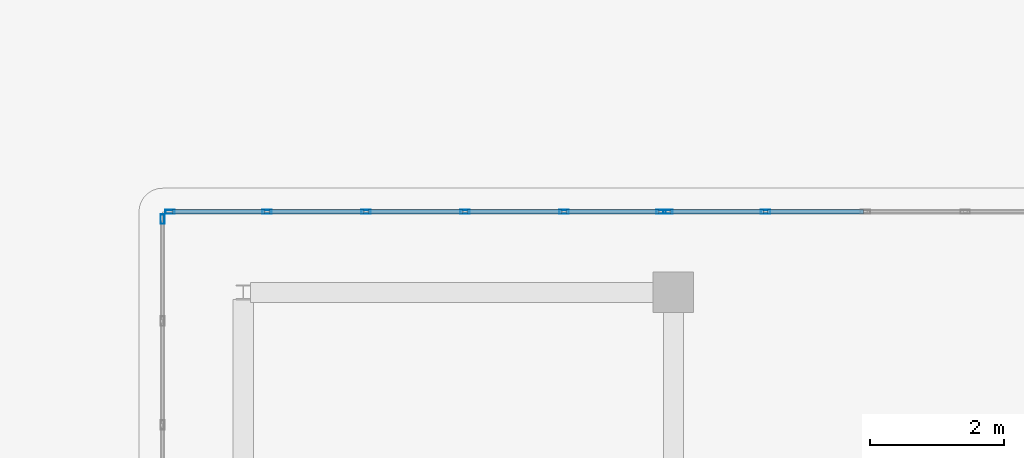
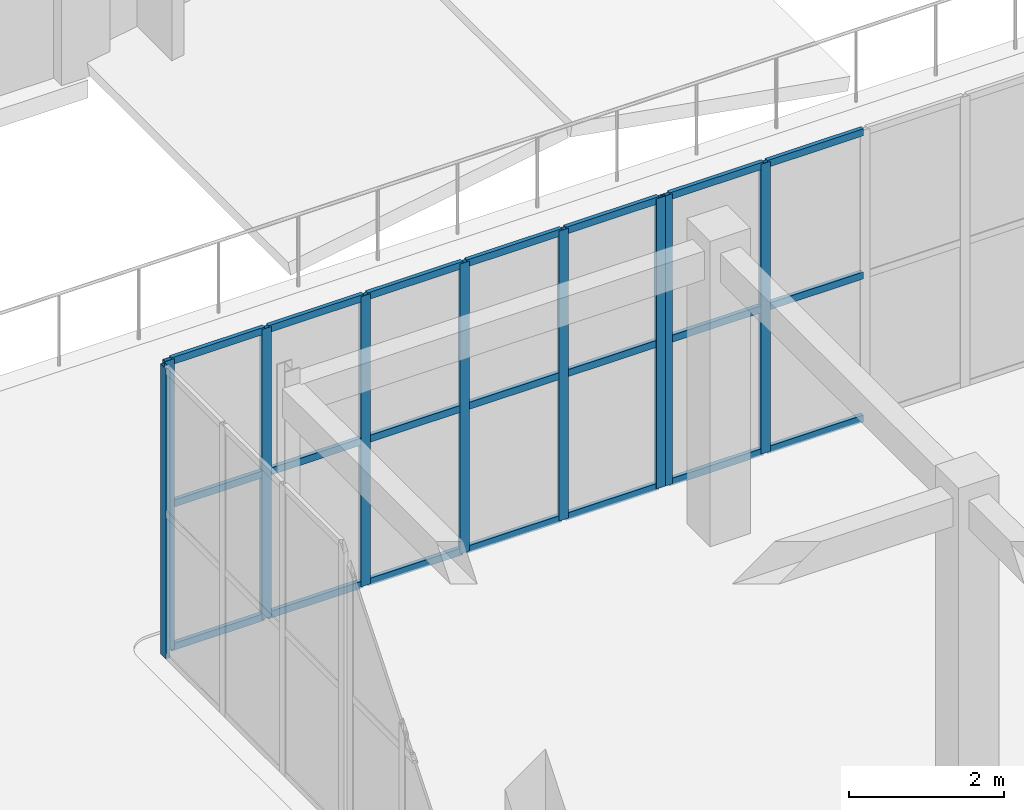
# One storey, part 60 of 158: 30 members, 3 elements without a shape of their own.
"""IFC4 building model written with IfcOpenShell, lengths in metres."""

from ifc_helpers import new_model, si_unit, direction, frame, origin, origin_2d, place, context, subcontext, project, spatial, hollow_rectangle, extrude, material, layer, layer_set, material_profile, profile_set, type_object, element, aggregate, save


model = new_model("IFC4")

# Units and contexts
model_context = context("Model", 3, precision=1e-05, world=origin(), true_north=direction((0.0, 1.0)))
body_context = subcontext(model_context, "Body", "Model", "MODEL_VIEW")
ifc_project = project(units=[si_unit("LENGTHUNIT", "METRE"), si_unit("AREAUNIT", "SQUARE_METRE"), si_unit("VOLUMEUNIT", "CUBIC_METRE"), si_unit("PLANEANGLEUNIT", "RADIAN"), si_unit("MASSUNIT", "GRAM", prefix="KILO")], contexts=[model_context])

# Site, building, storey
site_placement = place(None, origin())
site = spatial("IfcSite", under=ifc_project, at=site_placement, CompositionType="ELEMENT")
building_placement = place(site_placement, origin())
building = spatial("IfcBuilding", under=site, at=building_placement, Name="Trelvath General Hospital", CompositionType="ELEMENT")
storey_placement = place(building_placement, frame((0.0, 0.0, 8.10009765625)))
storey = spatial("IfcBuildingStorey", under=building, at=storey_placement, Name="L02", CompositionType="ELEMENT", Elevation=8.10009765625)

# Curtain wall, members
ifc_material_1 = material(Name="Anodised aluminium and low-E glass", Category="aluminium")
ifc_layer_1 = layer(ifc_material_1, 0.139892578125)
ifc_layer_set_1 = layer_set([ifc_layer_1], Name="Anodised aluminium and low-E glass")
curtain_wall_type_1 = type_object("IfcCurtainWallType", Name="CW CrystalCube 737 456 14", PredefinedType="USERDEFINED", material=ifc_layer_set_1)
curtain_wall_1_placement = place(storey_placement, origin())
curtain_wall_1 = element("IfcCurtainWall", 1, at=curtain_wall_1_placement, inside=storey, type_object=curtain_wall_type_1, Name="Crystal Cube Curtain Wall CUBE-W-T1 N1 L02", ObjectType="Unitised Glazed Curtain Wall", PredefinedType="USERDEFINED")
ifc_material_2 = material(Name="Anodised aluminium", Category="aluminium")
ifc_material_profile_1 = material_profile(ifc_material_2, hollow_rectangle(XDim=0.06005859375, YDim=0.139892578125, WallThickness=0.00390625, at=origin_2d()), Name="RHS60x140x4")
ifc_profile_set_1 = profile_set([ifc_material_profile_1], Name="Anodised aluminium")
member_type_1 = type_object("IfcMemberType", Name="CurtainMullion 60x140", PredefinedType="MULLION", material=ifc_profile_set_1)
member_1_placement = place(storey_placement, frame((53.31005859375, 80.39990234375, 0.0), z_axis=(0.0, 0.0, 1.0), x_axis=(0.0, 1.0, 0.0)))
member_1 = element("IfcMember", 2, at=member_1_placement, type_object=member_type_1, Name="CW-193 mullion 1", PredefinedType="MULLION", context=body_context, shape_type="SweptSolid", body=[
    extrude(hollow_rectangle(XDim=0.06005859375, YDim=0.139892578125, WallThickness=0.00390625, at=origin_2d()), origin(), (0.0, 0.0, 1.0), 4.559814453125),
])
member_2_placement = place(storey_placement, frame((54.75341796875, 80.39990234375, 0.0), z_axis=(0.0, 0.0, 1.0), x_axis=(0.0, 1.0, 0.0)))
member_2 = element("IfcMember", 3, at=member_2_placement, type_object=member_type_1, Name="CW-193 mullion 2", PredefinedType="MULLION", context=body_context, shape_type="SweptSolid", body=[
    extrude(hollow_rectangle(XDim=0.06005859375, YDim=0.139892578125, WallThickness=0.00390625, at=origin_2d()), origin(), (0.0, 0.0, 1.0), 4.559814453125),
])
member_3_placement = place(storey_placement, frame((56.2265625, 80.39990234375, 0.0), z_axis=(0.0, 0.0, 1.0), x_axis=(0.0, 1.0, 0.0)))
member_3 = element("IfcMember", 4, at=member_3_placement, type_object=member_type_1, Name="CW-193 mullion 3", PredefinedType="MULLION", context=body_context, shape_type="SweptSolid", body=[
    extrude(hollow_rectangle(XDim=0.06005859375, YDim=0.139892578125, WallThickness=0.00390625, at=origin_2d()), origin(), (0.0, 0.0, 1.0), 4.559814453125),
])
member_4_placement = place(storey_placement, frame((57.699951171875, 80.39990234375, 0.0), z_axis=(0.0, 0.0, 1.0), x_axis=(0.0, 1.0, 0.0)))
member_4 = element("IfcMember", 5, at=member_4_placement, type_object=member_type_1, Name="CW-193 mullion 4", PredefinedType="MULLION", context=body_context, shape_type="SweptSolid", body=[
    extrude(hollow_rectangle(XDim=0.06005859375, YDim=0.139892578125, WallThickness=0.00390625, at=origin_2d()), origin(), (0.0, 0.0, 1.0), 4.559814453125),
])
member_5_placement = place(storey_placement, frame((59.17333984375, 80.39990234375, 0.0), z_axis=(0.0, 0.0, 1.0), x_axis=(0.0, 1.0, 0.0)))
member_5 = element("IfcMember", 6, at=member_5_placement, type_object=member_type_1, Name="CW-193 mullion 5", PredefinedType="MULLION", context=body_context, shape_type="SweptSolid", body=[
    extrude(hollow_rectangle(XDim=0.06005859375, YDim=0.139892578125, WallThickness=0.00390625, at=origin_2d()), origin(), (0.0, 0.0, 1.0), 4.559814453125),
])
member_6_placement = place(storey_placement, frame((60.61669921875, 80.39990234375, 0.0), z_axis=(0.0, 0.0, 1.0), x_axis=(0.0, 1.0, 0.0)))
member_6 = element("IfcMember", 7, at=member_6_placement, type_object=member_type_1, Name="CW-193 mullion 6", PredefinedType="MULLION", context=body_context, shape_type="SweptSolid", body=[
    extrude(hollow_rectangle(XDim=0.06005859375, YDim=0.139892578125, WallThickness=0.00390625, at=origin_2d()), origin(), (0.0, 0.0, 1.0), 4.559814453125),
])

ifc_material_3 = material(Name="Anodised aluminium and low-E glass", Category="aluminium")
ifc_layer_2 = layer(ifc_material_3, 0.139892578125)
ifc_layer_set_2 = layer_set([ifc_layer_2], Name="Anodised aluminium and low-E glass")
curtain_wall_type_2 = type_object("IfcCurtainWallType", Name="CW CrystalCube 743 456 14", PredefinedType="USERDEFINED", material=ifc_layer_set_2)
curtain_wall_2_placement = place(storey_placement, origin())
curtain_wall_2 = element("IfcCurtainWall", 8, at=curtain_wall_2_placement, inside=storey, type_object=curtain_wall_type_2, Name="Crystal Cube Curtain Wall CUBE-W-T1 N2 L02", ObjectType="Unitised Glazed Curtain Wall", PredefinedType="USERDEFINED")
member_7_placement = place(storey_placement, frame((60.716796875, 80.39990234375, 0.0), z_axis=(0.0, 0.0, 1.0), x_axis=(0.0, 1.0, 0.0)))
member_7 = element("IfcMember", 9, at=member_7_placement, type_object=member_type_1, Name="CW-194 mullion 1", PredefinedType="MULLION", context=body_context, shape_type="SweptSolid", body=[
    extrude(hollow_rectangle(XDim=0.06005859375, YDim=0.139892578125, WallThickness=0.00390625, at=origin_2d()), origin(), (0.0, 0.0, 1.0), 4.559814453125),
])
member_8_placement = place(storey_placement, frame((62.172119140625, 80.39990234375, 0.0), z_axis=(0.0, 0.0, 1.0), x_axis=(0.0, 1.0, 0.0)))
member_8 = element("IfcMember", 10, at=member_8_placement, type_object=member_type_1, Name="CW-194 mullion 2", PredefinedType="MULLION", context=body_context, shape_type="SweptSolid", body=[
    extrude(hollow_rectangle(XDim=0.06005859375, YDim=0.139892578125, WallThickness=0.00390625, at=origin_2d()), origin(), (0.0, 0.0, 1.0), 4.559814453125),
])

# Curtain wall, member
ifc_material_4 = material(Name="Anodised aluminium and low-E glass", Category="aluminium")
ifc_layer_3 = layer(ifc_material_4, 0.139892578125)
ifc_layer_set_3 = layer_set([ifc_layer_3], Name="Anodised aluminium and low-E glass")
curtain_wall_type_3 = type_object("IfcCurtainWallType", Name="CW CrystalCube 464 456 14", PredefinedType="USERDEFINED", material=ifc_layer_set_3)
curtain_wall_3_placement = place(storey_placement, origin())
curtain_wall_3 = element("IfcCurtainWall", 11, at=curtain_wall_3_placement, inside=storey, type_object=curtain_wall_type_3, Name="Crystal Cube Curtain Wall CUBE-W-T1 W7 L02", ObjectType="Unitised Glazed Curtain Wall", PredefinedType="USERDEFINED")
member_9_placement = place(storey_placement, frame((53.199951171875, 80.2900390625, 0.0), z_axis=(0.0, 0.0, 1.0), x_axis=(-1.0, 0.0, 0.0)))
member_9 = element("IfcMember", 12, at=member_9_placement, type_object=member_type_1, Name="CW-203 mullion 4", PredefinedType="MULLION", context=body_context, shape_type="SweptSolid", body=[
    extrude(hollow_rectangle(XDim=0.06005859375, YDim=0.139892578125, WallThickness=0.00390625, at=origin_2d()), origin(), (0.0, 0.0, 1.0), 4.559814453125),
])
aggregate(curtain_wall_3, [member_9])

# Member
ifc_material_5 = material(Name="Anodised aluminium", Category="aluminium")
ifc_material_profile_2 = material_profile(ifc_material_5, hollow_rectangle(XDim=0.06005859375, YDim=0.110107421875, WallThickness=0.00390625, at=origin_2d()), Name="RHS60x110x4")
ifc_profile_set_2 = profile_set([ifc_material_profile_2], Name="Anodised aluminium")
member_type_2 = type_object("IfcMemberType", Name="CurtainTransom 60x110", PredefinedType="USERDEFINED", material=ifc_profile_set_2)
member_10_placement = place(storey_placement, frame((53.340087890625, 80.39990234375, 0.02978515625), z_axis=(1.0, 0.0, 0.0), x_axis=(0.0, 1.0, 0.0)))
member_10 = element("IfcMember", 13, at=member_10_placement, type_object=member_type_2, Name="CW-193 transom 1.1", ObjectType="TRANSOM", PredefinedType="USERDEFINED", context=body_context, shape_type="SweptSolid", body=[
    extrude(hollow_rectangle(XDim=0.06005859375, YDim=0.110107421875, WallThickness=0.00390625, at=origin_2d()), origin(), (0.0, 0.0, 1.0), 1.38330078125),
])

member_11_placement = place(storey_placement, frame((53.340087890625, 80.39990234375, 2.27978515625), z_axis=(1.0, 0.0, 0.0), x_axis=(0.0, 1.0, 0.0)))
member_11 = element("IfcMember", 14, at=member_11_placement, type_object=member_type_2, Name="CW-193 transom 1.2", ObjectType="TRANSOM", PredefinedType="USERDEFINED", context=body_context, shape_type="SweptSolid", body=[
    extrude(hollow_rectangle(XDim=0.06005859375, YDim=0.110107421875, WallThickness=0.00390625, at=origin_2d()), origin(), (0.0, 0.0, 1.0), 1.38330078125),
])

member_12_placement = place(storey_placement, frame((53.340087890625, 80.39990234375, 4.52978515625), z_axis=(1.0, 0.0, 0.0), x_axis=(0.0, 1.0, 0.0)))
member_12 = element("IfcMember", 15, at=member_12_placement, type_object=member_type_2, Name="CW-193 transom 1.3", ObjectType="TRANSOM", PredefinedType="USERDEFINED", context=body_context, shape_type="SweptSolid", body=[
    extrude(hollow_rectangle(XDim=0.06005859375, YDim=0.110107421875, WallThickness=0.00390625, at=origin_2d()), origin(), (0.0, 0.0, 1.0), 1.38330078125),
])

member_13_placement = place(storey_placement, frame((54.783447265625, 80.39990234375, 0.02978515625), z_axis=(1.0, 0.0, 0.0), x_axis=(0.0, 1.0, 0.0)))
member_13 = element("IfcMember", 16, at=member_13_placement, type_object=member_type_2, Name="CW-193 transom 2.1", ObjectType="TRANSOM", PredefinedType="USERDEFINED", context=body_context, shape_type="SweptSolid", body=[
    extrude(hollow_rectangle(XDim=0.06005859375, YDim=0.110107421875, WallThickness=0.00390625, at=origin_2d()), origin(), (0.0, 0.0, 1.0), 1.413330078125),
])

member_14_placement = place(storey_placement, frame((54.783447265625, 80.39990234375, 2.27978515625), z_axis=(1.0, 0.0, 0.0), x_axis=(0.0, 1.0, 0.0)))
member_14 = element("IfcMember", 17, at=member_14_placement, type_object=member_type_2, Name="CW-193 transom 2.2", ObjectType="TRANSOM", PredefinedType="USERDEFINED", context=body_context, shape_type="SweptSolid", body=[
    extrude(hollow_rectangle(XDim=0.06005859375, YDim=0.110107421875, WallThickness=0.00390625, at=origin_2d()), origin(), (0.0, 0.0, 1.0), 1.413330078125),
])

member_15_placement = place(storey_placement, frame((54.783447265625, 80.39990234375, 4.52978515625), z_axis=(1.0, 0.0, 0.0), x_axis=(0.0, 1.0, 0.0)))
member_15 = element("IfcMember", 18, at=member_15_placement, type_object=member_type_2, Name="CW-193 transom 2.3", ObjectType="TRANSOM", PredefinedType="USERDEFINED", context=body_context, shape_type="SweptSolid", body=[
    extrude(hollow_rectangle(XDim=0.06005859375, YDim=0.110107421875, WallThickness=0.00390625, at=origin_2d()), origin(), (0.0, 0.0, 1.0), 1.413330078125),
])

member_16_placement = place(storey_placement, frame((56.256591796875, 80.39990234375, 0.02978515625), z_axis=(1.0, 0.0, 0.0), x_axis=(0.0, 1.0, 0.0)))
member_16 = element("IfcMember", 19, at=member_16_placement, type_object=member_type_2, Name="CW-193 transom 3.1", ObjectType="TRANSOM", PredefinedType="USERDEFINED", context=body_context, shape_type="SweptSolid", body=[
    extrude(hollow_rectangle(XDim=0.06005859375, YDim=0.110107421875, WallThickness=0.00390625, at=origin_2d()), origin(), (0.0, 0.0, 1.0), 1.413330078125),
])

member_17_placement = place(storey_placement, frame((56.256591796875, 80.39990234375, 2.27978515625), z_axis=(1.0, 0.0, 0.0), x_axis=(0.0, 1.0, 0.0)))
member_17 = element("IfcMember", 20, at=member_17_placement, type_object=member_type_2, Name="CW-193 transom 3.2", ObjectType="TRANSOM", PredefinedType="USERDEFINED", context=body_context, shape_type="SweptSolid", body=[
    extrude(hollow_rectangle(XDim=0.06005859375, YDim=0.110107421875, WallThickness=0.00390625, at=origin_2d()), origin(), (0.0, 0.0, 1.0), 1.413330078125),
])

member_18_placement = place(storey_placement, frame((56.256591796875, 80.39990234375, 4.52978515625), z_axis=(1.0, 0.0, 0.0), x_axis=(0.0, 1.0, 0.0)))
member_18 = element("IfcMember", 21, at=member_18_placement, type_object=member_type_2, Name="CW-193 transom 3.3", ObjectType="TRANSOM", PredefinedType="USERDEFINED", context=body_context, shape_type="SweptSolid", body=[
    extrude(hollow_rectangle(XDim=0.06005859375, YDim=0.110107421875, WallThickness=0.00390625, at=origin_2d()), origin(), (0.0, 0.0, 1.0), 1.413330078125),
])

member_19_placement = place(storey_placement, frame((57.72998046875, 80.39990234375, 0.02978515625), z_axis=(1.0, 0.0, 0.0), x_axis=(0.0, 1.0, 0.0)))
member_19 = element("IfcMember", 22, at=member_19_placement, type_object=member_type_2, Name="CW-193 transom 4.1", ObjectType="TRANSOM", PredefinedType="USERDEFINED", context=body_context, shape_type="SweptSolid", body=[
    extrude(hollow_rectangle(XDim=0.06005859375, YDim=0.110107421875, WallThickness=0.00390625, at=origin_2d()), origin(), (0.0, 0.0, 1.0), 1.413330078125),
])

member_20_placement = place(storey_placement, frame((57.72998046875, 80.39990234375, 2.27978515625), z_axis=(1.0, 0.0, 0.0), x_axis=(0.0, 1.0, 0.0)))
member_20 = element("IfcMember", 23, at=member_20_placement, type_object=member_type_2, Name="CW-193 transom 4.2", ObjectType="TRANSOM", PredefinedType="USERDEFINED", context=body_context, shape_type="SweptSolid", body=[
    extrude(hollow_rectangle(XDim=0.06005859375, YDim=0.110107421875, WallThickness=0.00390625, at=origin_2d()), origin(), (0.0, 0.0, 1.0), 1.413330078125),
])

member_21_placement = place(storey_placement, frame((57.72998046875, 80.39990234375, 4.52978515625), z_axis=(1.0, 0.0, 0.0), x_axis=(0.0, 1.0, 0.0)))
member_21 = element("IfcMember", 24, at=member_21_placement, type_object=member_type_2, Name="CW-193 transom 4.3", ObjectType="TRANSOM", PredefinedType="USERDEFINED", context=body_context, shape_type="SweptSolid", body=[
    extrude(hollow_rectangle(XDim=0.06005859375, YDim=0.110107421875, WallThickness=0.00390625, at=origin_2d()), origin(), (0.0, 0.0, 1.0), 1.413330078125),
])

member_22_placement = place(storey_placement, frame((59.203369140625, 80.39990234375, 0.02978515625), z_axis=(1.0, 0.0, 0.0), x_axis=(0.0, 1.0, 0.0)))
member_22 = element("IfcMember", 25, at=member_22_placement, type_object=member_type_2, Name="CW-193 transom 5.1", ObjectType="TRANSOM", PredefinedType="USERDEFINED", context=body_context, shape_type="SweptSolid", body=[
    extrude(hollow_rectangle(XDim=0.06005859375, YDim=0.110107421875, WallThickness=0.00390625, at=origin_2d()), origin(), (0.0, 0.0, 1.0), 1.38330078125),
])

member_23_placement = place(storey_placement, frame((59.203369140625, 80.39990234375, 2.27978515625), z_axis=(1.0, 0.0, 0.0), x_axis=(0.0, 1.0, 0.0)))
member_23 = element("IfcMember", 26, at=member_23_placement, type_object=member_type_2, Name="CW-193 transom 5.2", ObjectType="TRANSOM", PredefinedType="USERDEFINED", context=body_context, shape_type="SweptSolid", body=[
    extrude(hollow_rectangle(XDim=0.06005859375, YDim=0.110107421875, WallThickness=0.00390625, at=origin_2d()), origin(), (0.0, 0.0, 1.0), 1.38330078125),
])

member_24_placement = place(storey_placement, frame((59.203369140625, 80.39990234375, 4.52978515625), z_axis=(1.0, 0.0, 0.0), x_axis=(0.0, 1.0, 0.0)))
member_24 = element("IfcMember", 27, at=member_24_placement, type_object=member_type_2, Name="CW-193 transom 5.3", ObjectType="TRANSOM", PredefinedType="USERDEFINED", context=body_context, shape_type="SweptSolid", body=[
    extrude(hollow_rectangle(XDim=0.06005859375, YDim=0.110107421875, WallThickness=0.00390625, at=origin_2d()), origin(), (0.0, 0.0, 1.0), 1.38330078125),
])

aggregate(curtain_wall_1, [member_1, member_2, member_3, member_4, member_5, member_6, member_10, member_11, member_12, member_13, member_14, member_15, member_16, member_17, member_18, member_19, member_20, member_21, member_22, member_23, member_24])

member_25_placement = place(storey_placement, frame((60.74658203125, 80.39990234375, 0.02978515625), z_axis=(1.0, 0.0, 0.0), x_axis=(0.0, 1.0, 0.0)))
member_25 = element("IfcMember", 28, at=member_25_placement, type_object=member_type_2, Name="CW-194 transom 1.1", ObjectType="TRANSOM", PredefinedType="USERDEFINED", context=body_context, shape_type="SweptSolid", body=[
    extrude(hollow_rectangle(XDim=0.06005859375, YDim=0.110107421875, WallThickness=0.00390625, at=origin_2d()), origin(), (0.0, 0.0, 1.0), 1.3955078125),
])

member_26_placement = place(storey_placement, frame((60.74658203125, 80.39990234375, 2.27978515625), z_axis=(1.0, 0.0, 0.0), x_axis=(0.0, 1.0, 0.0)))
member_26 = element("IfcMember", 29, at=member_26_placement, type_object=member_type_2, Name="CW-194 transom 1.2", ObjectType="TRANSOM", PredefinedType="USERDEFINED", context=body_context, shape_type="SweptSolid", body=[
    extrude(hollow_rectangle(XDim=0.06005859375, YDim=0.110107421875, WallThickness=0.00390625, at=origin_2d()), origin(), (0.0, 0.0, 1.0), 1.3955078125),
])

member_27_placement = place(storey_placement, frame((60.74658203125, 80.39990234375, 4.52978515625), z_axis=(1.0, 0.0, 0.0), x_axis=(0.0, 1.0, 0.0)))
member_27 = element("IfcMember", 30, at=member_27_placement, type_object=member_type_2, Name="CW-194 transom 1.3", ObjectType="TRANSOM", PredefinedType="USERDEFINED", context=body_context, shape_type="SweptSolid", body=[
    extrude(hollow_rectangle(XDim=0.06005859375, YDim=0.110107421875, WallThickness=0.00390625, at=origin_2d()), origin(), (0.0, 0.0, 1.0), 1.3955078125),
])

member_28_placement = place(storey_placement, frame((62.201904296875, 80.39990234375, 0.02978515625), z_axis=(1.0, 0.0, 0.0), x_axis=(0.0, 1.0, 0.0)))
member_28 = element("IfcMember", 31, at=member_28_placement, type_object=member_type_2, Name="CW-194 transom 2.1", ObjectType="TRANSOM", PredefinedType="USERDEFINED", context=body_context, shape_type="SweptSolid", body=[
    extrude(hollow_rectangle(XDim=0.06005859375, YDim=0.110107421875, WallThickness=0.00390625, at=origin_2d()), origin(), (0.0, 0.0, 1.0), 1.425537109375),
])

member_29_placement = place(storey_placement, frame((62.201904296875, 80.39990234375, 2.27978515625), z_axis=(1.0, 0.0, 0.0), x_axis=(0.0, 1.0, 0.0)))
member_29 = element("IfcMember", 32, at=member_29_placement, type_object=member_type_2, Name="CW-194 transom 2.2", ObjectType="TRANSOM", PredefinedType="USERDEFINED", context=body_context, shape_type="SweptSolid", body=[
    extrude(hollow_rectangle(XDim=0.06005859375, YDim=0.110107421875, WallThickness=0.00390625, at=origin_2d()), origin(), (0.0, 0.0, 1.0), 1.425537109375),
])

member_30_placement = place(storey_placement, frame((62.201904296875, 80.39990234375, 4.52978515625), z_axis=(1.0, 0.0, 0.0), x_axis=(0.0, 1.0, 0.0)))
member_30 = element("IfcMember", 33, at=member_30_placement, type_object=member_type_2, Name="CW-194 transom 2.3", ObjectType="TRANSOM", PredefinedType="USERDEFINED", context=body_context, shape_type="SweptSolid", body=[
    extrude(hollow_rectangle(XDim=0.06005859375, YDim=0.110107421875, WallThickness=0.00390625, at=origin_2d()), origin(), (0.0, 0.0, 1.0), 1.425537109375),
])

aggregate(curtain_wall_2, [member_7, member_8, member_25, member_26, member_27, member_28, member_29, member_30])

save(model, "model.ifc")
